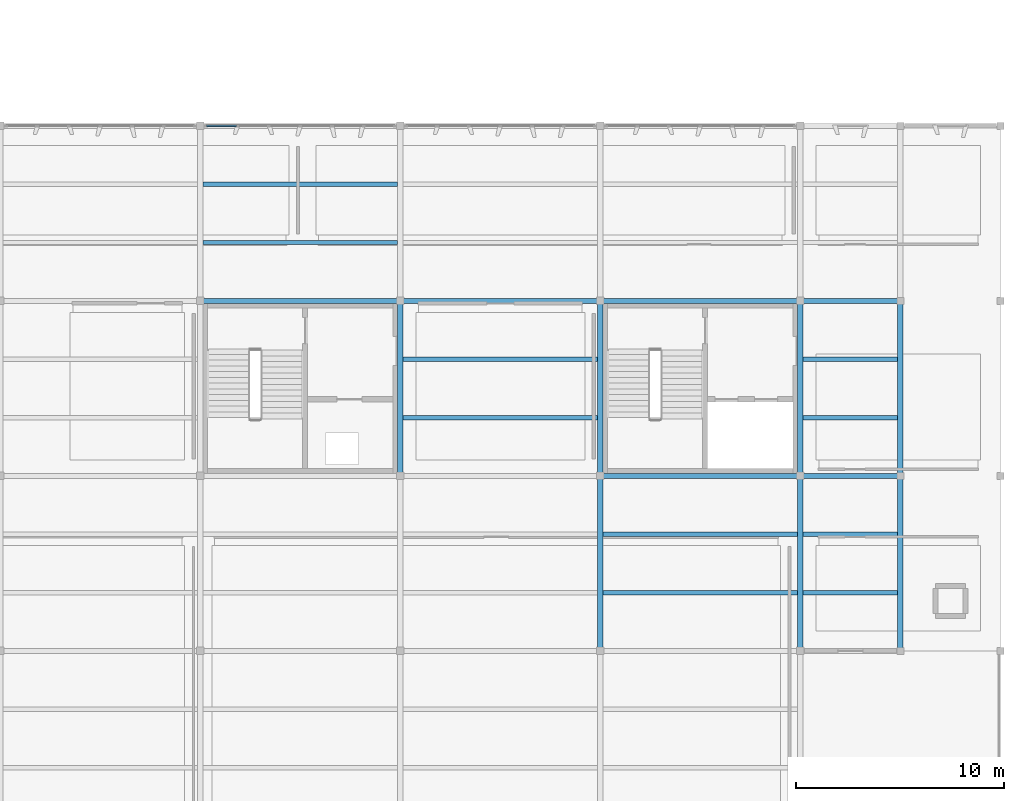
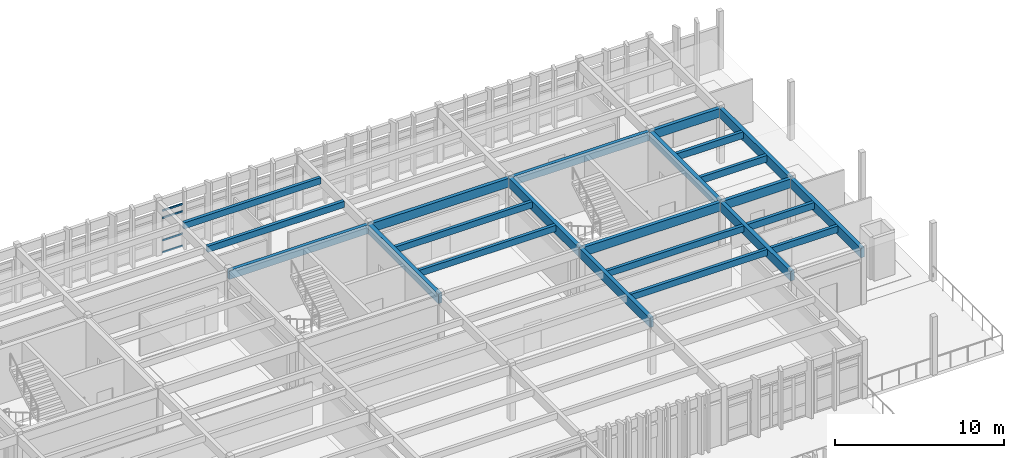
# One storey, part 8 of 18: 23 beams, 4 members, 1 element without a shape of its own.
"""IFC4 building model written with IfcOpenShell, lengths in metres."""

from ifc_helpers import new_model, si_unit, direction, frame, origin, origin_2d, place, context, subcontext, project, spatial, rectangle, extrude, material, layer, layer_set, material_profile, profile_set, type_object, element, aggregate, save


model = new_model("IFC4")

# Units and contexts
model_context = context("Model", 3, precision=1e-05, world=origin(), true_north=direction((0.0, 1.0)))
body_context = subcontext(model_context, "Body", "Model", "MODEL_VIEW")
ifc_project = project(units=[si_unit("LENGTHUNIT", "METRE"), si_unit("AREAUNIT", "SQUARE_METRE"), si_unit("VOLUMEUNIT", "CUBIC_METRE"), si_unit("PLANEANGLEUNIT", "RADIAN"), si_unit("MASSUNIT", "GRAM", prefix="KILO")], contexts=[model_context])

# Site, building, storey
site_placement = place(None, origin())
site = spatial("IfcSite", under=ifc_project, at=site_placement, CompositionType="ELEMENT")
building_placement = place(site_placement, origin())
building = spatial("IfcBuilding", under=site, at=building_placement, Name="Kolvemor Railside Polytechnic", CompositionType="ELEMENT")
storey_placement = place(building_placement, frame((0.0, 0.0, 18.60009765625)))
storey = spatial("IfcBuildingStorey", under=building, at=storey_placement, Name="L04", CompositionType="ELEMENT", Elevation=18.60009765625)

# Beams
ifc_material_1 = material(Name="Glulam GL28h", Category="wood")
ifc_material_profile_1 = material_profile(ifc_material_1, rectangle(XDim=0.264892578125, YDim=0.679931640625, at=origin_2d()), Name="GL265x680")
ifc_profile_set_1 = profile_set([ifc_material_profile_1], Name="Glulam GL28h")
beam_type_1 = type_object("IfcBeamType", Name="BM-GL-GIRD2", PredefinedType="BEAM", material=ifc_profile_set_1)
beam_1_placement = place(storey_placement, frame((96.0, 21.60009765625, 3.6298828125), z_axis=(0.0, 1.0, 0.0), x_axis=(-1.0, 0.0, 0.0)))
element("IfcBeam", 1, at=beam_1_placement, inside=storey, type_object=beam_type_1, Name="Primary Girder L05-GY 1566", PredefinedType="BEAM", context=body_context, shape_type="SweptSolid", body=[
    extrude(rectangle(XDim=0.264892578125, YDim=0.679931640625, at=origin_2d()), origin(), (0.0, 0.0, 1.0), 8.39990234375),
])
beam_2_placement = place(storey_placement, frame((105.60009765625, 13.199951171875, 3.6298828125), z_axis=(0.0, 1.0, 0.0), x_axis=(-1.0, 0.0, 0.0)))
element("IfcBeam", 2, at=beam_2_placement, inside=storey, type_object=beam_type_1, Name="Primary Girder L05-GY 1569", PredefinedType="BEAM", context=body_context, shape_type="SweptSolid", body=[
    extrude(rectangle(XDim=0.264892578125, YDim=0.679931640625, at=origin_2d()), origin(), (0.0, 0.0, 1.0), 8.400146484375),
])
beam_3_placement = place(storey_placement, frame((105.60009765625, 21.60009765625, 3.6298828125), z_axis=(0.0, 1.0, 0.0), x_axis=(-1.0, 0.0, 0.0)))
element("IfcBeam", 3, at=beam_3_placement, inside=storey, type_object=beam_type_1, Name="Primary Girder L05-GY 1570", PredefinedType="BEAM", context=body_context, shape_type="SweptSolid", body=[
    extrude(rectangle(XDim=0.264892578125, YDim=0.679931640625, at=origin_2d()), origin(), (0.0, 0.0, 1.0), 8.39990234375),
])
beam_4_placement = place(storey_placement, frame((115.199951171875, 13.199951171875, 3.6298828125), z_axis=(0.0, 1.0, 0.0), x_axis=(-1.0, 0.0, 0.0)))
element("IfcBeam", 4, at=beam_4_placement, inside=storey, type_object=beam_type_1, Name="Primary Girder L05-GY 1573", PredefinedType="BEAM", context=body_context, shape_type="SweptSolid", body=[
    extrude(rectangle(XDim=0.264892578125, YDim=0.679931640625, at=origin_2d()), origin(), (0.0, 0.0, 1.0), 8.400146484375),
])
beam_5_placement = place(storey_placement, frame((115.199951171875, 21.60009765625, 3.6298828125), z_axis=(0.0, 1.0, 0.0), x_axis=(-1.0, 0.0, 0.0)))
element("IfcBeam", 5, at=beam_5_placement, inside=storey, type_object=beam_type_1, Name="Primary Girder L05-GY 1574", PredefinedType="BEAM", context=body_context, shape_type="SweptSolid", body=[
    extrude(rectangle(XDim=0.264892578125, YDim=0.679931640625, at=origin_2d()), origin(), (0.0, 0.0, 1.0), 8.39990234375),
])
beam_6_placement = place(storey_placement, frame((120.0, 13.199951171875, 3.6298828125), z_axis=(0.0, 1.0, 0.0), x_axis=(-1.0, 0.0, 0.0)))
element("IfcBeam", 6, at=beam_6_placement, inside=storey, type_object=beam_type_1, Name="Primary Girder L05-GY 1622", PredefinedType="BEAM", context=body_context, shape_type="SweptSolid", body=[
    extrude(rectangle(XDim=0.264892578125, YDim=0.679931640625, at=origin_2d()), origin(), (0.0, 0.0, 1.0), 8.400146484375),
])
beam_7_placement = place(storey_placement, frame((120.0, 21.60009765625, 3.6298828125), z_axis=(0.0, 1.0, 0.0), x_axis=(-1.0, 0.0, 0.0)))
element("IfcBeam", 7, at=beam_7_placement, inside=storey, type_object=beam_type_1, Name="Primary Girder L05-GY 1623", PredefinedType="BEAM", context=body_context, shape_type="SweptSolid", body=[
    extrude(rectangle(XDim=0.264892578125, YDim=0.679931640625, at=origin_2d()), origin(), (0.0, 0.0, 1.0), 8.39990234375),
])
ifc_material_2 = material(Name="Glulam GL28h", Category="wood")
ifc_material_profile_2 = material_profile(ifc_material_2, rectangle(XDim=0.239990234375, YDim=0.639892578125, at=origin_2d()), Name="GL240x640")
ifc_profile_set_2 = profile_set([ifc_material_profile_2], Name="Glulam GL28h")
beam_type_2 = type_object("IfcBeamType", Name="BM-GL-GIRD5", PredefinedType="BEAM", material=ifc_profile_set_2)
beam_8_placement = place(storey_placement, frame((105.60009765625, 21.60009765625, 3.64990234375), z_axis=(1.0, 0.0, 0.0), x_axis=(0.0, 1.0, 0.0)))
element("IfcBeam", 8, at=beam_8_placement, inside=storey, type_object=beam_type_2, Name="Primary Girder L05-GX 1535", PredefinedType="BEAM", context=body_context, shape_type="SweptSolid", body=[
    extrude(rectangle(XDim=0.239990234375, YDim=0.639892578125, at=origin_2d()), origin(), (0.0, 0.0, 1.0), 9.599853515625),
])
for number, where, z_axis, x_axis, name in (
    (9, (86.39990234375, 30.0, 3.64990234375), (1.0, 0.0, 0.0), (0.0, 1.0, 0.0), "Primary Girder L05-GX 1539"),
    (10, (96.0, 30.0, 3.64990234375), (1.0, 0.0, 0.0), (0.0, 1.0, 0.0), "Primary Girder L05-GX 1540"),
):
    element("IfcBeam", number, at=place(storey_placement, frame(where, z_axis=z_axis, x_axis=x_axis)), inside=storey, type_object=beam_type_2, Name=name, PredefinedType="BEAM", context=body_context, shape_type="SweptSolid", body=[
        extrude(rectangle(XDim=0.239990234375, YDim=0.639892578125, at=origin_2d()), origin(), (0.0, 0.0, 1.0), 9.60009765625),
    ])
beam_9_placement = place(storey_placement, frame((105.60009765625, 30.0, 3.64990234375), z_axis=(1.0, 0.0, 0.0), x_axis=(0.0, 1.0, 0.0)))
element("IfcBeam", 11, at=beam_9_placement, inside=storey, type_object=beam_type_2, Name="Primary Girder L05-GX 1541", PredefinedType="BEAM", context=body_context, shape_type="SweptSolid", body=[
    extrude(rectangle(XDim=0.239990234375, YDim=0.639892578125, at=origin_2d()), origin(), (0.0, 0.0, 1.0), 9.599853515625),
])
for number, where, z_axis, x_axis, name in (
    (12, (115.199951171875, 21.60009765625, 3.64990234375), (1.0, 0.0, 0.0), (0.0, 1.0, 0.0), "Primary Girder L05-GX 1619"),
    (13, (115.199951171875, 30.0, 3.64990234375), (1.0, 0.0, 0.0), (0.0, 1.0, 0.0), "Primary Girder L05-GX 1620"),
):
    element("IfcBeam", number, at=place(storey_placement, frame(where, z_axis=z_axis, x_axis=x_axis)), inside=storey, type_object=beam_type_2, Name=name, PredefinedType="BEAM", context=body_context, shape_type="SweptSolid", body=[
        extrude(rectangle(XDim=0.239990234375, YDim=0.639892578125, at=origin_2d()), origin(), (0.0, 0.0, 1.0), 4.800048828125),
    ])
ifc_material_3 = material(Name="Glulam GL28h", Category="wood")
ifc_material_profile_3 = material_profile(ifc_material_3, rectangle(XDim=0.215087890625, YDim=0.449951171875, at=origin_2d()), Name="GL215x450")
ifc_profile_set_3 = profile_set([ifc_material_profile_3], Name="Glulam GL28h")
beam_type_3 = type_object("IfcBeamType", Name="BM-GL-JST2", PredefinedType="JOIST", material=ifc_profile_set_3)
for number, where, z_axis, x_axis, name in (
    (14, (86.532958984375, 32.800048828125, 3.744873046875), (1.0, 0.0, 0.0), (0.0, 1.0, 0.0), "Floor Joist L05-J1602"),
    (15, (86.532958984375, 35.60009765625, 3.744873046875), (1.0, 0.0, 0.0), (0.0, 1.0, 0.0), "Floor Joist L05-J1603"),
    (16, (96.133056640625, 24.39990234375, 3.744873046875), (1.0, 0.0, 0.0), (0.0, 1.0, 0.0), "Floor Joist L05-J1608"),
    (17, (96.133056640625, 27.199951171875, 3.744873046875), (1.0, 0.0, 0.0), (0.0, 1.0, 0.0), "Floor Joist L05-J1609"),
    (18, (105.73291015625, 16.0, 3.744873046875), (1.0, 0.0, 0.0), (0.0, 1.0, 0.0), "Floor Joist L05-J1614"),
    (19, (105.73291015625, 18.800048828125, 3.744873046875), (1.0, 0.0, 0.0), (0.0, 1.0, 0.0), "Floor Joist L05-J1615"),
):
    element("IfcBeam", number, at=place(storey_placement, frame(where, z_axis=z_axis, x_axis=x_axis)), inside=storey, type_object=beam_type_3, Name=name, PredefinedType="JOIST", context=body_context, shape_type="SweptSolid", body=[
        extrude(rectangle(XDim=0.215087890625, YDim=0.449951171875, at=origin_2d()), origin(), (0.0, 0.0, 1.0), 9.333984375),
    ])
ifc_material_4 = material(Name="Glulam GL28h", Category="wood")
ifc_material_profile_4 = material_profile(ifc_material_4, rectangle(XDim=0.215087890625, YDim=0.47998046875, at=origin_2d()), Name="GL215x480")
ifc_profile_set_4 = profile_set([ifc_material_profile_4], Name="Glulam GL28h")
beam_type_4 = type_object("IfcBeamType", Name="BM-GL-JST5", PredefinedType="JOIST", material=ifc_profile_set_4)
for number, where, z_axis, x_axis, name in (
    (20, (115.3330078125, 16.0, 3.72998046875), (1.0, 0.0, 0.0), (0.0, 1.0, 0.0), "Floor Joist L05-J1625"),
    (21, (115.3330078125, 18.800048828125, 3.72998046875), (1.0, 0.0, 0.0), (0.0, 1.0, 0.0), "Floor Joist L05-J1626"),
    (22, (115.3330078125, 24.39990234375, 3.72998046875), (1.0, 0.0, 0.0), (0.0, 1.0, 0.0), "Floor Joist L05-J1627"),
    (23, (115.3330078125, 27.199951171875, 3.72998046875), (1.0, 0.0, 0.0), (0.0, 1.0, 0.0), "Floor Joist L05-J1628"),
):
    element("IfcBeam", number, at=place(storey_placement, frame(where, z_axis=z_axis, x_axis=x_axis)), inside=storey, type_object=beam_type_4, Name=name, PredefinedType="JOIST", context=body_context, shape_type="SweptSolid", body=[
        extrude(rectangle(XDim=0.215087890625, YDim=0.47998046875, at=origin_2d()), origin(), (0.0, 0.0, 1.0), 4.533935546875),
    ])

# Curtain wall, members
ifc_material_5 = material(Name="Anodised marine aluminium and laminated low-E glass", Category="aluminium")
ifc_layer = layer(ifc_material_5, 0.179931640625, Name="CW-UNIT-STD")
ifc_layer_set = layer_set([ifc_layer], Name="Anodised marine aluminium and laminated low-E glass")
curtain_wall_type = type_object("IfcCurtainWallType", Name="CW-UNIT-STD", PredefinedType="USERDEFINED", material=ifc_layer_set)
curtain_wall_placement = place(storey_placement, origin())
curtain_wall = element("IfcCurtainWall", 24, at=curtain_wall_placement, inside=storey, type_object=curtain_wall_type, Name="Curtain Wall L04-133", ObjectType="UNITISED CURTAIN WALL", PredefinedType="USERDEFINED")
ifc_material_6 = material(Name="Anodised marine aluminium 6063-T6", Category="aluminium")
ifc_material_profile_5 = material_profile(ifc_material_6, rectangle(XDim=0.06494140625, YDim=0.1201171875, at=origin_2d()), Name="CW-TRN-65x120")
ifc_profile_set_5 = profile_set([ifc_material_profile_5], Name="Anodised marine aluminium 6063-T6")
member_type = type_object("IfcMemberType", Name="CWT-65x120", PredefinedType="USERDEFINED", material=ifc_profile_set_5)
member_1_placement = place(storey_placement, frame((88.12744140625, 38.39990234375, 0.032470703125), z_axis=(-1.0, 0.0, 0.0), x_axis=(0.0, -1.0, 0.0)))
member_1 = element("IfcMember", 25, at=member_1_placement, type_object=member_type, Name="CW-STD transom 6.1", ObjectType="TRANSOM", PredefinedType="USERDEFINED", context=body_context, shape_type="SweptSolid", body=[
    extrude(rectangle(XDim=0.06494140625, YDim=0.1201171875, at=origin_2d()), origin(), (0.0, 0.0, 1.0), 1.42236328125),
])
member_2_placement = place(storey_placement, frame((88.12744140625, 38.39990234375, 0.89990234375), z_axis=(-1.0, 0.0, 0.0), x_axis=(0.0, -1.0, 0.0)))
member_2 = element("IfcMember", 26, at=member_2_placement, type_object=member_type, Name="CW-STD transom 6.2", ObjectType="TRANSOM", PredefinedType="USERDEFINED", context=body_context, shape_type="SweptSolid", body=[
    extrude(rectangle(XDim=0.06494140625, YDim=0.1201171875, at=origin_2d()), origin(), (0.0, 0.0, 1.0), 1.42236328125),
])
member_3_placement = place(storey_placement, frame((88.12744140625, 38.39990234375, 2.52001953125), z_axis=(-1.0, 0.0, 0.0), x_axis=(0.0, -1.0, 0.0)))
member_3 = element("IfcMember", 27, at=member_3_placement, type_object=member_type, Name="CW-STD transom 6.3", ObjectType="TRANSOM", PredefinedType="USERDEFINED", context=body_context, shape_type="SweptSolid", body=[
    extrude(rectangle(XDim=0.06494140625, YDim=0.1201171875, at=origin_2d()), origin(), (0.0, 0.0, 1.0), 1.42236328125),
])
member_4_placement = place(storey_placement, frame((88.12744140625, 38.39990234375, 3.037353515625), z_axis=(-1.0, 0.0, 0.0), x_axis=(0.0, -1.0, 0.0)))
member_4 = element("IfcMember", 28, at=member_4_placement, type_object=member_type, Name="CW-STD transom 6.4", ObjectType="TRANSOM", PredefinedType="USERDEFINED", context=body_context, shape_type="SweptSolid", body=[
    extrude(rectangle(XDim=0.06494140625, YDim=0.1201171875, at=origin_2d()), origin(), (0.0, 0.0, 1.0), 1.42236328125),
])
aggregate(curtain_wall, [member_1, member_2, member_3, member_4])

save(model, "model.ifc")
